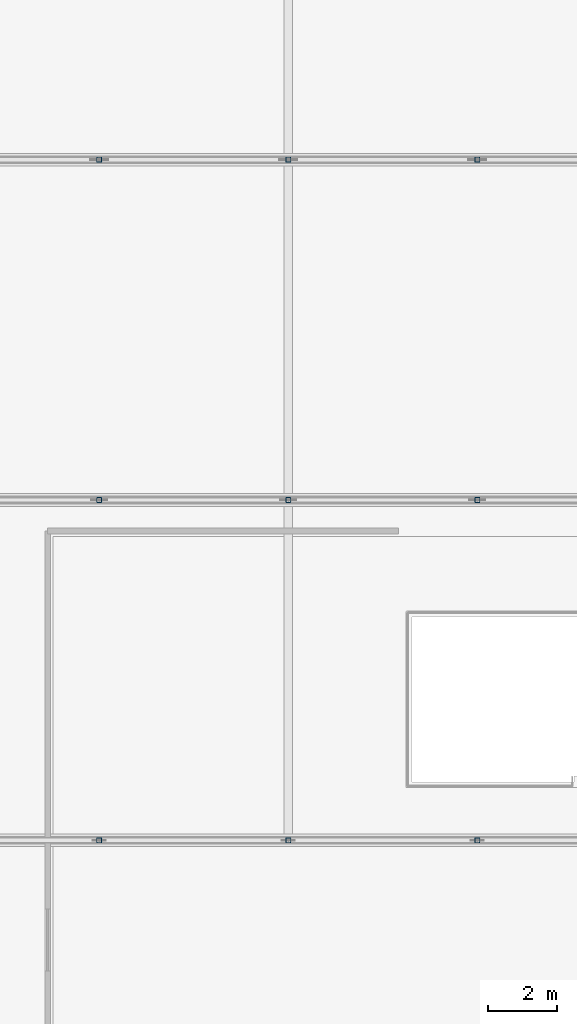
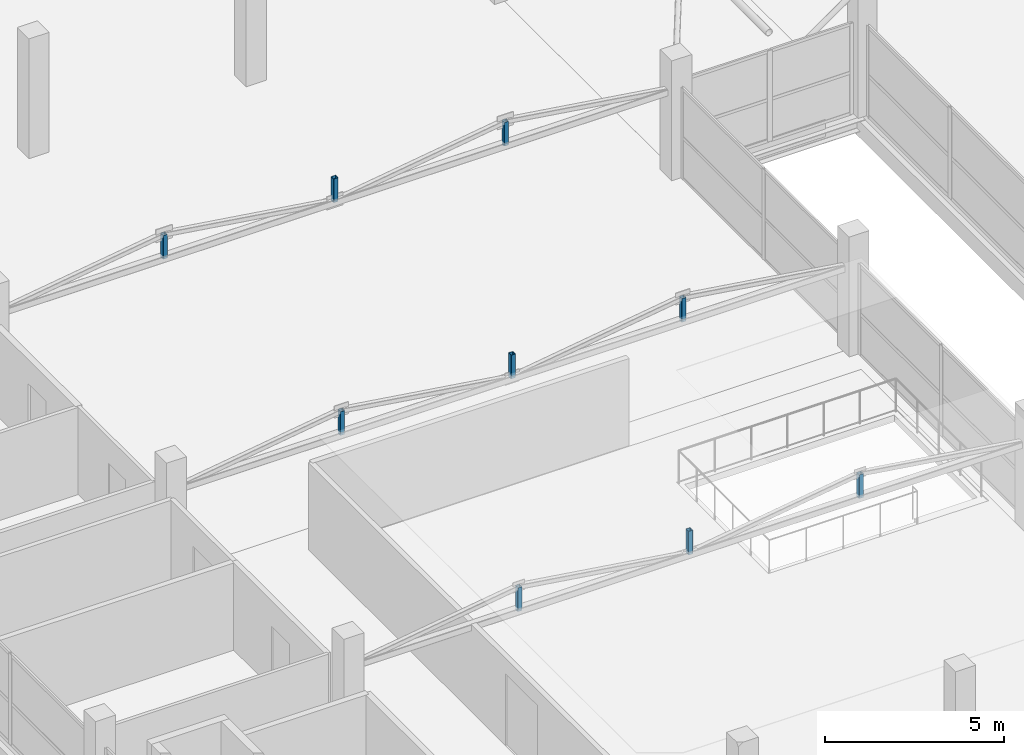
# One storey, part 51 of 66: 9 members.
"""IFC4 building model written with IfcOpenShell, lengths in metres."""

from ifc_helpers import new_model, si_unit, direction, frame, origin, origin_2d, place, context, subcontext, project, spatial, hollow_rectangle, extrude, material, material_profile, profile_set, type_object, element, save


model = new_model("IFC4")

# Units and contexts
model_context = context("Model", 3, precision=1e-05, world=origin(), true_north=direction((0.0, 1.0)))
body_context = subcontext(model_context, "Body", "Model", "MODEL_VIEW")
ifc_project = project(units=[si_unit("LENGTHUNIT", "METRE"), si_unit("AREAUNIT", "SQUARE_METRE"), si_unit("VOLUMEUNIT", "CUBIC_METRE"), si_unit("PLANEANGLEUNIT", "RADIAN"), si_unit("MASSUNIT", "GRAM", prefix="KILO")], contexts=[model_context])

# Site, building, storey
site_placement = place(None, origin())
site = spatial("IfcSite", under=ifc_project, at=site_placement, CompositionType="ELEMENT")
building_placement = place(site_placement, origin())
building = spatial("IfcBuilding", under=site, at=building_placement, Name="Sillaruma Civic Art Gallery", CompositionType="ELEMENT")
storey_placement = place(building_placement, frame((0.0, 0.0, 62.219970703125)))
storey = spatial("IfcBuildingStorey", under=building, at=storey_placement, Name="L12", CompositionType="ELEMENT", Elevation=62.219970703125)

# Members
ifc_material = material(Name="Structural Steel ASTM A500 Gr.C", Category="steel")
ifc_material_profile = material_profile(ifc_material, hollow_rectangle(XDim=0.14990234375, YDim=0.14990234375, WallThickness=0.010009765625, InnerFilletRadius=0.010009765625, OuterFilletRadius=0.02001953125, at=origin_2d()), Name="HSS150x150x10")
ifc_profile_set = profile_set([ifc_material_profile], Name="Structural Steel ASTM A500 Gr.C")
member_type = type_object("IfcMemberType", Name="MEM-POST-HSS150x150x10", PredefinedType="POST", material=ifc_profile_set)
for number, where, z_axis, x_axis, name in (
    (1, (75.5, 49.5, 2.860107421875), (0.0, 0.0, 1.0), (1.0, 0.0, 0.0), "Warren Truss Vertical Post TR-L12-1-V1"),
    (2, (81.0, 49.5, 2.860107421875), (0.0, 0.0, 1.0), (1.0, 0.0, 0.0), "Warren Truss Vertical Post TR-L12-1-V2"),
    (3, (86.5, 49.5, 2.860107421875), (0.0, 0.0, 1.0), (1.0, 0.0, 0.0), "Warren Truss Vertical Post TR-L12-1-V3"),
    (4, (75.5, 59.39990234375, 2.860107421875), (0.0, 0.0, 1.0), (1.0, 0.0, 0.0), "Warren Truss Vertical Post TR-L12-2-V1"),
    (5, (81.0, 59.39990234375, 2.860107421875), (0.0, 0.0, 1.0), (1.0, 0.0, 0.0), "Warren Truss Vertical Post TR-L12-2-V2"),
    (6, (86.5, 59.39990234375, 2.860107421875), (0.0, 0.0, 1.0), (1.0, 0.0, 0.0), "Warren Truss Vertical Post TR-L12-2-V3"),
    (7, (75.5, 69.300048828125, 2.860107421875), (0.0, 0.0, 1.0), (1.0, 0.0, 0.0), "Warren Truss Vertical Post TR-L12-3-V1"),
    (8, (81.0, 69.300048828125, 2.860107421875), (0.0, 0.0, 1.0), (1.0, 0.0, 0.0), "Warren Truss Vertical Post TR-L12-3-V2"),
    (9, (86.5, 69.300048828125, 2.860107421875), (0.0, 0.0, 1.0), (1.0, 0.0, 0.0), "Warren Truss Vertical Post TR-L12-3-V3"),
):
    element("IfcMember", number, at=place(storey_placement, frame(where, z_axis=z_axis, x_axis=x_axis)), inside=storey, type_object=member_type, Name=name, PredefinedType="POST", context=body_context, shape_type="SweptSolid", body=[
        extrude(hollow_rectangle(XDim=0.14990234375, YDim=0.14990234375, WallThickness=0.010009765625, InnerFilletRadius=0.010009765625, OuterFilletRadius=0.02001953125, at=origin_2d()), origin(), (0.0, 0.0, 1.0), 0.807861328125),
    ])

save(model, "model.ifc")
